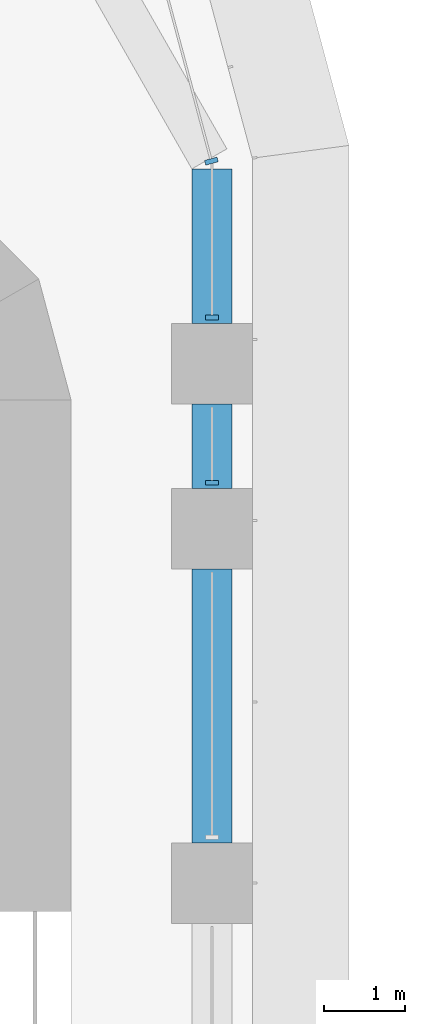
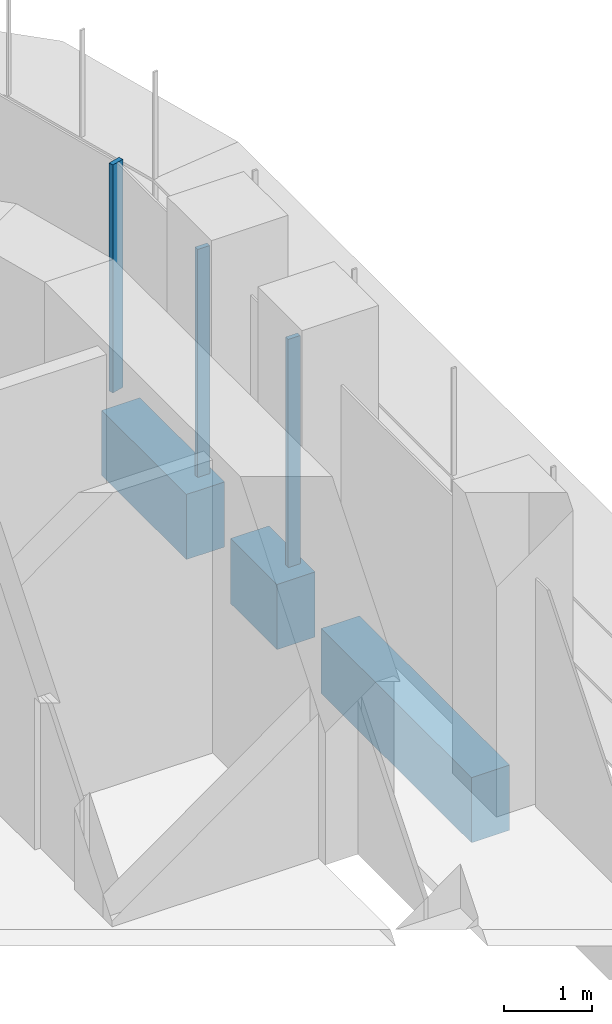
# One storey, part 10 of 23: 3 beams, 3 members, 2 elements without a shape of their own.
"""IFC4 building model written with IfcOpenShell, lengths in metres."""

from ifc_helpers import new_model, si_unit, direction, frame, origin, origin_2d, place, context, subcontext, project, spatial, polyline, rectangle, outline, extrude, source, transform, mapped, material, material_profile, profile_set, type_object, element, aggregate, save


model = new_model("IFC4")

# Units and contexts
model_context = context("Model", 3, precision=1e-05, world=origin(), true_north=direction((0.0, 1.0)))
body_context = subcontext(model_context, "Body", "Model", "MODEL_VIEW")
ifc_project = project(units=[si_unit("LENGTHUNIT", "METRE"), si_unit("AREAUNIT", "SQUARE_METRE"), si_unit("VOLUMEUNIT", "CUBIC_METRE"), si_unit("PLANEANGLEUNIT", "RADIAN"), si_unit("MASSUNIT", "GRAM", prefix="KILO")], contexts=[model_context])

# Site, building, storey
site_placement = place(None, origin())
site = spatial("IfcSite", under=ifc_project, at=site_placement, CompositionType="ELEMENT")
building_placement = place(site_placement, origin())
building = spatial("IfcBuilding", under=site, at=building_placement, Name="Zarbagh Exchange Tower", CompositionType="ELEMENT")
storey_placement = place(building_placement, frame((0.0, 0.0, 35.39990234375)))
storey = spatial("IfcBuildingStorey", under=building, at=storey_placement, Name="L07", CompositionType="ELEMENT", Elevation=35.39990234375)

# Beams
ifc_material_1 = material(Name="Concrete C60/75", Category="concrete")
ifc_material_profile = material_profile(ifc_material_1, rectangle(XDim=0.5, YDim=0.89990234375, at=origin_2d()), Name="RC spandrel beam 500 x 900 C60/75")
ifc_profile_set = profile_set([ifc_material_profile], Name="Concrete C60/75")
beam_type = type_object("IfcBeamType", Name="RC spandrel beam 500 x 900 C60/75", PredefinedType="SPANDREL", material=ifc_profile_set)
beam_1_placement = place(storey_placement, frame((6.25, 29.117919921875, -0.599853515625), z_axis=(0.0, -1.0, 0.0), x_axis=(1.0, 0.0, 0.0)))
element("IfcBeam", 1, at=beam_1_placement, inside=storey, type_object=beam_type, Name="RC spandrel beam", PredefinedType="SPANDREL", context=body_context, shape_type="SweptSolid", body=[
    extrude(rectangle(XDim=0.5, YDim=0.89990234375, at=origin_2d()), origin(), (0.0, 0.0, 1.0), 1.91796875),
])
beam_2_placement = place(storey_placement, frame((6.25, 26.199951171875, -0.599853515625), z_axis=(0.0, -1.0, 0.0), x_axis=(1.0, 0.0, 0.0)))
element("IfcBeam", 2, at=beam_2_placement, inside=storey, type_object=beam_type, Name="RC spandrel beam", PredefinedType="SPANDREL", context=body_context, shape_type="SweptSolid", body=[
    extrude(rectangle(XDim=0.5, YDim=0.89990234375, at=origin_2d()), origin(), (0.0, 0.0, 1.0), 1.050048828125),
])
beam_3_placement = place(storey_placement, frame((6.25, 24.14990234375, -0.599853515625), z_axis=(0.0, -1.0, 0.0), x_axis=(1.0, 0.0, 0.0)))
element("IfcBeam", 3, at=beam_3_placement, inside=storey, type_object=beam_type, Name="RC spandrel beam", PredefinedType="SPANDREL", context=body_context, shape_type="SweptSolid", body=[
    extrude(rectangle(XDim=0.5, YDim=0.89990234375, at=origin_2d()), origin(), (0.0, 0.0, 1.0), 3.39990234375),
])

# Curtain wall, members
ifc_material_2 = material(Name="Anodised aluminium frame and glazing", Category="aluminium")
curtain_wall_type = type_object("IfcCurtainWallType", Name="CWA Ribbon glazing, lower zones", PredefinedType="NOTDEFINED", material=ifc_material_2)
curtain_wall_1_placement = place(storey_placement, origin())
curtain_wall_1 = element("IfcCurtainWall", 4, at=curtain_wall_1_placement, inside=storey, type_object=curtain_wall_type, Name="CWA20 curtain wall", PredefinedType="NOTDEFINED")
ifc_material_3 = material(Name="Anodised aluminium frame", Category="aluminium")
member_type = type_object("IfcMemberType", Name="MUA Mullion, anodised aluminium frame", PredefinedType="MULLION", material=ifc_material_3)
shared_shape = source(origin(), body_context, "Body", "SweptSolid", [
    extrude(outline(polyline([(0.0, -0.080078125), (0.06005859375, -0.080078125), (0.06005859375, 0.080078125), (0.0, 0.080078125), (0.0, -0.080078125)])), origin(), (0.0, 0.0, 1.0), 3.14990234375),
])
placement = place(storey_placement, origin())
member_1 = element("IfcMember", 5, at=placement, type_object=member_type, Name="CWA20 mullion 4.1", PredefinedType="MULLION", context=body_context, shape_type="MappedRepresentation", body=[
    mapped(shared_shape, transform((6.25, 25.18994140625, 0.0), x_axis=(0.0, 1.0, 0.0), y_axis=(-1.0, 0.0, 0.0), z_axis=(0.0, 0.0, 1.0))),
])
member_2 = element("IfcMember", 6, at=placement, type_object=member_type, Name="CWA20 mullion 5.1", PredefinedType="MULLION", context=body_context, shape_type="MappedRepresentation", body=[
    mapped(shared_shape, transform((6.25, 27.239990234375, 0.0), x_axis=(0.0, 1.0, 0.0), y_axis=(-1.0, 0.0, 0.0), z_axis=(0.0, 0.0, 1.0))),
])
aggregate(curtain_wall_1, [member_1, member_2])

# Curtain wall, member
curtain_wall_2_placement = place(storey_placement, origin())
curtain_wall_2 = element("IfcCurtainWall", 7, at=curtain_wall_2_placement, inside=storey, type_object=curtain_wall_type, Name="CWA21 curtain wall", PredefinedType="NOTDEFINED")
member_3 = element("IfcMember", 8, at=placement, type_object=member_type, Name="CWA21 mullion 1.1", PredefinedType="MULLION", context=body_context, shape_type="MappedRepresentation", body=[
    mapped(shared_shape, transform((6.25, 29.18408203125, 0.0), x_axis=(-0.258824779902, 0.965924289636, 0.0), y_axis=(-0.965924289636, -0.258824779902, 0.0), z_axis=(0.0, 0.0, 1.0))),
])
aggregate(curtain_wall_2, [member_3])

save(model, "model.ifc")
